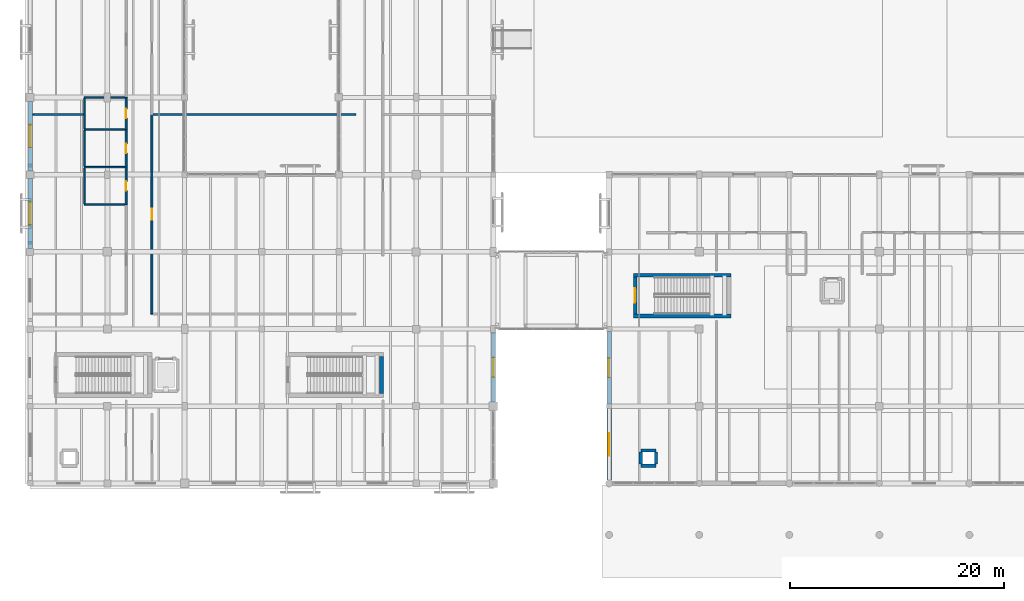
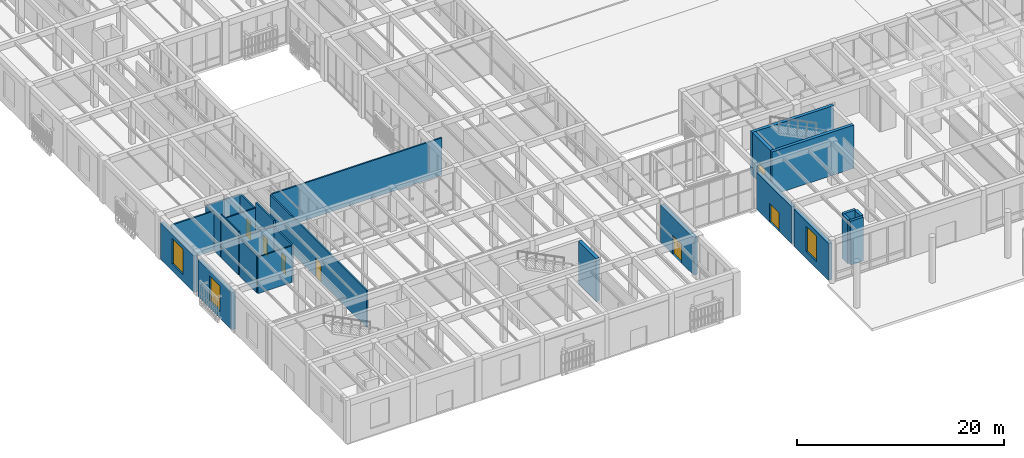
# One storey, part 121 of 169: 26 walls, 7 doors, 3 windows, 10 openings.
"""IFC4 building model written with IfcOpenShell, lengths in metres."""

from ifc_helpers import new_model, si_unit, direction, frame, frame_2d, origin, place, context, subcontext, project, spatial, rectangle, extrude, material, layer, layer_set, type_object, element, fill, save


model = new_model("IFC4")

# Units and contexts
model_context = context("Model", 3, precision=1e-05, world=origin(), true_north=direction((0.0, 1.0)))
body_context = subcontext(model_context, "Body", "Model", "MODEL_VIEW")
ifc_project = project(units=[si_unit("LENGTHUNIT", "METRE"), si_unit("AREAUNIT", "SQUARE_METRE"), si_unit("VOLUMEUNIT", "CUBIC_METRE"), si_unit("PLANEANGLEUNIT", "RADIAN"), si_unit("MASSUNIT", "GRAM", prefix="KILO")], contexts=[model_context])

# Site, building, storey
site_placement = place(None, origin())
site = spatial("IfcSite", under=ifc_project, at=site_placement, CompositionType="ELEMENT")
building_placement = place(site_placement, origin())
building = spatial("IfcBuilding", under=site, at=building_placement, Name="Mazaris Harbour Polytechnic", CompositionType="ELEMENT")
storey_placement = place(building_placement, origin())
storey = spatial("IfcBuildingStorey", under=building, at=storey_placement, Name="L00", CompositionType="ELEMENT", Elevation=0.0)

# Wall
ifc_material_1 = material(Name="Fireboard and Mineral Wool")
ifc_layer_1 = layer(ifc_material_1, 0.1650390625, Name="Fireboard and Mineral Wool")
ifc_layer_set_1 = layer_set([ifc_layer_1], Name="Fireboard and Mineral Wool")
wall_type_1 = type_object("IfcWallType", Name="Laboratory Rated Partition 165", PredefinedType="PARTITIONING", material=ifc_layer_set_1)
wall_1_placement = place(storey_placement, frame((0.25, 41.60009765625, 0.0), z_axis=(0.0, 0.0, 1.0), x_axis=(1.0, 0.0, 0.0)))
element("IfcWall", 1, at=wall_1_placement, inside=storey, type_object=wall_type_1, Name="V4 L00 Partition 292", PredefinedType="PARTITIONING", context=body_context, shape_type="SweptSolid", body=[
    extrude(rectangle(XDim=4.717529296875, YDim=0.1650390625, at=frame_2d((2.35888671875, 0.0))), origin(), (0.0, 0.0, 1.0), 4.64990234375),
])

# Wall, opening, door
wall_2_placement = place(storey_placement, frame((11.35009765625, 23.0, 0.0), z_axis=(0.0, 0.0, 1.0), x_axis=(0.0, 1.0, 0.0)))
wall_2 = element("IfcWall", 2, at=wall_2_placement, inside=storey, type_object=wall_type_1, Name="V4 L00 Partition 301", PredefinedType="PARTITIONING", context=body_context, shape_type="SweptSolid", body=[
    extrude(rectangle(XDim=18.60009765625, YDim=0.1650390625, at=frame_2d((9.300048828125, 0.0))), origin(), (0.0, 0.0, 1.0), 4.35009765625),
])
opening_1_placement = place(wall_2_placement, frame((8.77490234375, 0.0, 0.0)))
opening_1 = element("IfcOpeningElement", 3, at=opening_1_placement, cuts=wall_2, Name="Opening ID-02L", PredefinedType="OPENING", context=body_context, shape_type="SweptSolid", body=[
    extrude(rectangle(XDim=1.050048828125, YDim=2.199951171875, at=frame_2d((0.52490234375, 1.10009765625))), frame((0.0, 0.092529296875, 0.0), z_axis=(0.0, -1.0, 0.0), x_axis=(1.0, 0.0, 0.0)), (0.0, 0.0, 1.0), 0.18505859375),
])
ifc_material_2 = material(Name="Solid Timber and Vision Panel", Category="wood")
door_type_1 = type_object("IfcDoorType", Name="Laboratory Fire Door LH 1050x2200", OperationType="SINGLE_SWING_LEFT", PredefinedType="DOOR", material=ifc_material_2)
door_1_placement = place(opening_1_placement, origin())
door_1 = element("IfcDoor", 4, at=door_1_placement, inside=storey, type_object=door_type_1, Name="ID-0139", OperationType="SINGLE_SWING_LEFT", OverallHeight=2.199951171875, OverallWidth=1.050048828125, PredefinedType="DOOR", context=body_context, shape_type="SweptSolid", body=[
    extrude(rectangle(XDim=1.050048828125, YDim=2.199951171875, at=frame_2d((0.52490234375, 1.10009765625))), frame((0.0, 0.02490234375, 0.0), z_axis=(0.0, -1.0, 0.0), x_axis=(1.0, 0.0, 0.0)), (0.0, 0.0, 1.0), 0.050048828125),
])
fill(opening_1, door_1)

# Wall
wall_3_placement = place(storey_placement, frame((11.469970703125, 41.60009765625, 0.0), z_axis=(0.0, 0.0, 1.0), x_axis=(1.0, 0.0, 0.0)))
element("IfcWall", 5, at=wall_3_placement, inside=storey, type_object=wall_type_1, Name="V4 L00 Partition 303", PredefinedType="PARTITIONING", context=body_context, shape_type="SweptSolid", body=[
    extrude(rectangle(XDim=18.909912109375, YDim=0.1650390625, at=frame_2d((9.455078125, 0.0))), origin(), (0.0, 0.0, 1.0), 4.39990234375),
])

# Wall, opening, door
ifc_material_3 = material(Name="Moisture-Resistant Blockwork", Category="masonry")
ifc_layer_2 = layer(ifc_material_3, 0.175048828125, Name="Moisture-Resistant Blockwork")
ifc_layer_set_2 = layer_set([ifc_layer_2], Name="Moisture-Resistant Blockwork")
wall_type_2 = type_object("IfcWallType", Name="Laboratory Wet Service Wall 175", PredefinedType="PLUMBINGWALL", material=ifc_layer_set_2)
wall_4_placement = place(storey_placement, frame((8.949951171875, 33.199951171875, 0.0), z_axis=(0.0, 0.0, 1.0), x_axis=(0.0, 1.0, 0.0)))
wall_4 = element("IfcWall", 6, at=wall_4_placement, inside=storey, type_object=wall_type_2, Name="V4 L00 Partition 279", PredefinedType="PLUMBINGWALL", context=body_context, shape_type="SweptSolid", body=[
    extrude(rectangle(XDim=3.5, YDim=0.175048828125, at=frame_2d((1.75, 0.0))), origin(), (0.0, 0.0, 1.0), 4.35009765625),
])
opening_2_placement = place(wall_4_placement, frame((1.300048828125, 0.0, 0.0)))
opening_2 = element("IfcOpeningElement", 7, at=opening_2_placement, cuts=wall_4, Name="Opening ID-07R", PredefinedType="OPENING", context=body_context, shape_type="SweptSolid", body=[
    extrude(rectangle(XDim=0.89990234375, YDim=2.10009765625, at=frame_2d((0.449951171875, 1.050048828125))), frame((0.0, 0.097412109375, 0.0), z_axis=(0.0, -1.0, 0.0), x_axis=(1.0, 0.0, 0.0)), (0.0, 0.0, 1.0), 0.195068359375),
])
ifc_material_4 = material(Name="Moisture-Resistant Laminate Timber", Category="wood")
door_type_2 = type_object("IfcDoorType", Name="Sanitary Room Door RH 900x2100", OperationType="SINGLE_SWING_RIGHT", PredefinedType="DOOR", material=ifc_material_4)
door_2_placement = place(opening_2_placement, origin())
door_2 = element("IfcDoor", 8, at=door_2_placement, inside=storey, type_object=door_type_2, Name="ID-0129", OperationType="SINGLE_SWING_RIGHT", OverallHeight=2.10009765625, OverallWidth=0.89990234375, PredefinedType="DOOR", context=body_context, shape_type="SweptSolid", body=[
    extrude(rectangle(XDim=0.89990234375, YDim=2.10009765625, at=frame_2d((0.449951171875, 1.050048828125))), frame((0.0, 0.02490234375, 0.0), z_axis=(0.0, -1.0, 0.0), x_axis=(1.0, 0.0, 0.0)), (0.0, 0.0, 1.0), 0.050048828125),
])
fill(opening_2, door_2)

wall_5_placement = place(storey_placement, frame((8.949951171875, 36.705078125, 0.0), z_axis=(0.0, 0.0, 1.0), x_axis=(0.0, 1.0, 0.0)))
wall_5 = element("IfcWall", 9, at=wall_5_placement, inside=storey, type_object=wall_type_2, Name="V4 L00 Partition 283", PredefinedType="PLUMBINGWALL", context=body_context, shape_type="SweptSolid", body=[
    extrude(rectangle(XDim=3.494873046875, YDim=0.175048828125, at=frame_2d((1.74755859375, 0.0))), origin(), (0.0, 0.0, 1.0), 5.10009765625),
])
opening_3_placement = place(wall_5_placement, frame((1.297607421875, 0.0, 0.0)))
opening_3 = element("IfcOpeningElement", 10, at=opening_3_placement, cuts=wall_5, Name="Opening ID-07R", PredefinedType="OPENING", context=body_context, shape_type="SweptSolid", body=[
    extrude(rectangle(XDim=0.89990234375, YDim=2.10009765625, at=frame_2d((0.449951171875, 1.050048828125))), frame((0.0, 0.097412109375, 0.0), z_axis=(0.0, -1.0, 0.0), x_axis=(1.0, 0.0, 0.0)), (0.0, 0.0, 1.0), 0.195068359375),
])
door_3_placement = place(opening_3_placement, origin())
door_3 = element("IfcDoor", 11, at=door_3_placement, inside=storey, type_object=door_type_2, Name="ID-0130", OperationType="SINGLE_SWING_RIGHT", OverallHeight=2.10009765625, OverallWidth=0.89990234375, PredefinedType="DOOR", context=body_context, shape_type="SweptSolid", body=[
    extrude(rectangle(XDim=0.89990234375, YDim=2.10009765625, at=frame_2d((0.449951171875, 1.050048828125))), frame((0.0, 0.02490234375, 0.0), z_axis=(0.0, -1.0, 0.0), x_axis=(1.0, 0.0, 0.0)), (0.0, 0.0, 1.0), 0.050048828125),
])
fill(opening_3, door_3)

wall_6_placement = place(storey_placement, frame((8.949951171875, 40.205078125, 0.0), z_axis=(0.0, 0.0, 1.0), x_axis=(0.0, 1.0, 0.0)))
wall_6 = element("IfcWall", 12, at=wall_6_placement, inside=storey, type_object=wall_type_2, Name="V4 L00 Partition 286", PredefinedType="PLUMBINGWALL", context=body_context, shape_type="SweptSolid", body=[
    extrude(rectangle(XDim=2.994873046875, YDim=0.175048828125, at=frame_2d((1.49755859375, 0.0))), origin(), (0.0, 0.0, 1.0), 4.300048828125),
])
opening_4_placement = place(wall_6_placement, frame((1.03759765625, 0.0, 0.0)))
opening_4 = element("IfcOpeningElement", 13, at=opening_4_placement, cuts=wall_6, Name="Opening ID-07L", PredefinedType="OPENING", context=body_context, shape_type="SweptSolid", body=[
    extrude(rectangle(XDim=0.919921875, YDim=2.10009765625, at=frame_2d((0.4599609375, 1.050048828125))), frame((0.0, 0.097412109375, 0.0), z_axis=(0.0, -1.0, 0.0), x_axis=(1.0, 0.0, 0.0)), (0.0, 0.0, 1.0), 0.195068359375),
])
ifc_material_5 = material(Name="Moisture-Resistant Laminate Timber", Category="wood")
door_type_3 = type_object("IfcDoorType", Name="Accessible Toilet Door LH 920x2100", OperationType="SINGLE_SWING_LEFT", PredefinedType="DOOR", material=ifc_material_5)
door_4_placement = place(opening_4_placement, origin())
door_4 = element("IfcDoor", 14, at=door_4_placement, inside=storey, type_object=door_type_3, Name="ID-0131", OperationType="SINGLE_SWING_LEFT", OverallHeight=2.10009765625, OverallWidth=0.919921875, PredefinedType="DOOR", context=body_context, shape_type="SweptSolid", body=[
    extrude(rectangle(XDim=0.919921875, YDim=2.10009765625, at=frame_2d((0.4599609375, 1.050048828125))), frame((0.0, 0.02490234375, 0.0), z_axis=(0.0, -1.0, 0.0), x_axis=(1.0, 0.0, 0.0)), (0.0, 0.0, 1.0), 0.050048828125),
])
fill(opening_4, door_4)

# Wall, opening, window
ifc_material_6 = material(Name="Algerian Buff Limestone and Concrete C35/45", Category="masonry")
ifc_layer_3 = layer(ifc_material_6, 0.409912109375, Name="Algerian Buff Limestone and Concrete C35/45")
ifc_layer_set_3 = layer_set([ifc_layer_3], Name="Algerian Buff Limestone and Concrete C35/45")
wall_type_3 = type_object("IfcWallType", Name="Limestone Rusticated Base Wall 410", PredefinedType="STANDARD", material=ifc_layer_set_3)
wall_7_placement = place(storey_placement, frame((54.0, 7.51708984375, 0.0), z_axis=(0.0, 0.0, 1.0), x_axis=(0.0, 1.0, 0.0)))
wall_7 = element("IfcWall", 15, at=wall_7_placement, inside=storey, type_object=wall_type_3, Name="V3 L00 Exterior Wall 102", PredefinedType="STANDARD", context=body_context, shape_type="SweptSolid", body=[
    extrude(rectangle(XDim=6.666015625, YDim=0.409912109375, at=frame_2d((3.3330078125, 0.0))), origin(), (0.0, 0.0, 1.0), 4.35009765625),
])
opening_5_placement = place(wall_7_placement, frame((2.282958984375, 0.0, 0.800048828125)))
opening_5 = element("IfcOpeningElement", 16, at=opening_5_placement, cuts=wall_7, Name="Opening WN-05", PredefinedType="OPENING", context=body_context, shape_type="SweptSolid", body=[
    extrude(rectangle(XDim=2.10009765625, YDim=3.0, at=frame_2d((1.050048828125, 1.5))), frame((0.0, 0.21484375, 0.0), z_axis=(0.0, -1.0, 0.0), x_axis=(1.0, 0.0, 0.0)), (0.0, 0.0, 1.0), 0.429931640625),
])
ifc_material_7 = material(Name="Thermally Broken Bronze Aluminium and Low-E Glass", Category="aluminium")
window_type = type_object("IfcWindowType", Name="Podium Arch-Head Window 2100x3000", PartitioningType="DOUBLE_PANEL_VERTICAL", PredefinedType="WINDOW", material=ifc_material_7)
window_1_placement = place(opening_5_placement, origin())
window_1 = element("IfcWindow", 17, at=window_1_placement, inside=storey, type_object=window_type, Name="WN-0111", OverallHeight=3.0, OverallWidth=2.10009765625, PartitioningType="DOUBLE_PANEL_VERTICAL", PredefinedType="WINDOW", context=body_context, shape_type="SweptSolid", body=[
    extrude(rectangle(XDim=2.10009765625, YDim=3.0, at=frame_2d((1.050048828125, 1.5))), frame((0.0, 0.030029296875, 0.0), z_axis=(0.0, -1.0, 0.0), x_axis=(1.0, 0.0, 0.0)), (0.0, 0.0, 1.0), 0.06005859375),
])
fill(opening_5, window_1)

# Wall, opening, door
wall_8_placement = place(storey_placement, frame((54.0, 14.616943359375, 0.0), z_axis=(0.0, 0.0, 1.0), x_axis=(0.0, 1.0, 0.0)))
wall_8 = element("IfcWall", 18, at=wall_8_placement, inside=storey, type_object=wall_type_3, Name="V3 L00 Exterior Wall 103", PredefinedType="STANDARD", context=body_context, shape_type="SweptSolid", body=[
    extrude(rectangle(XDim=6.740966796875, YDim=0.409912109375, at=frame_2d((3.37060546875, 0.0))), origin(), (0.0, 0.0, 1.0), 4.35009765625),
])
opening_6_placement = place(wall_8_placement, frame((2.470458984375, 0.0, 0.0)))
opening_6 = element("IfcOpeningElement", 19, at=opening_6_placement, cuts=wall_8, Name="Opening ED-03", PredefinedType="OPENING", context=body_context, shape_type="SweptSolid", body=[
    extrude(rectangle(XDim=1.800048828125, YDim=2.199951171875, at=frame_2d((0.89990234375, 1.10009765625))), frame((0.0, 0.21484375, 0.0), z_axis=(0.0, -1.0, 0.0), x_axis=(1.0, 0.0, 0.0)), (0.0, 0.0, 1.0), 0.429931640625),
])
ifc_material_8 = material(Name="Anodised Bronze Steel and Laminated Safety Glass", Category="steel")
door_type_4 = type_object("IfcDoorType", Name="Perimeter Final Exit Door 1800x2200", OperationType="DOUBLE_DOOR_SINGLE_SWING", PredefinedType="DOOR", material=ifc_material_8)
door_5_placement = place(opening_6_placement, origin())
door_5 = element("IfcDoor", 20, at=door_5_placement, inside=storey, type_object=door_type_4, Name="EXD-018", OperationType="DOUBLE_DOOR_SINGLE_SWING", OverallHeight=2.199951171875, OverallWidth=1.800048828125, PredefinedType="DOOR", context=body_context, shape_type="SweptSolid", body=[
    extrude(rectangle(XDim=1.800048828125, YDim=2.199951171875, at=frame_2d((0.89990234375, 1.10009765625))), frame((0.0, 0.02490234375, 0.0), z_axis=(0.0, -1.0, 0.0), x_axis=(1.0, 0.0, 0.0)), (0.0, 0.0, 1.0), 0.050048828125),
])
fill(opening_6, door_5)

# Wall, opening, window
wall_9_placement = place(storey_placement, frame((0.0, 29.116943359375, 0.0), z_axis=(0.0, 0.0, 1.0), x_axis=(0.0, 1.0, 0.0)))
wall_9 = element("IfcWall", 21, at=wall_9_placement, inside=storey, type_object=wall_type_3, Name="V4 L00 Exterior Wall 143", PredefinedType="STANDARD", context=body_context, shape_type="SweptSolid", body=[
    extrude(rectangle(XDim=6.541015625, YDim=0.409912109375, at=frame_2d((3.2705078125, 0.0))), origin(), (0.0, 0.0, 1.0), 4.35009765625),
])
opening_7_placement = place(wall_9_placement, frame((2.220458984375, 0.0, 0.800048828125)))
opening_7 = element("IfcOpeningElement", 22, at=opening_7_placement, cuts=wall_9, Name="Opening WN-05", PredefinedType="OPENING", context=body_context, shape_type="SweptSolid", body=[
    extrude(rectangle(XDim=2.10009765625, YDim=3.0, at=frame_2d((1.050048828125, 1.5))), frame((0.0, 0.21484375, 0.0), z_axis=(0.0, -1.0, 0.0), x_axis=(1.0, 0.0, 0.0)), (0.0, 0.0, 1.0), 0.429931640625),
])
window_2_placement = place(opening_7_placement, origin())
window_2 = element("IfcWindow", 23, at=window_2_placement, inside=storey, type_object=window_type, Name="WN-0148", OverallHeight=3.0, OverallWidth=2.10009765625, PartitioningType="DOUBLE_PANEL_VERTICAL", PredefinedType="WINDOW", context=body_context, shape_type="SweptSolid", body=[
    extrude(rectangle(XDim=2.10009765625, YDim=3.0, at=frame_2d((1.050048828125, 1.5))), frame((0.0, 0.030029296875, 0.0), z_axis=(0.0, -1.0, 0.0), x_axis=(1.0, 0.0, 0.0)), (0.0, 0.0, 1.0), 0.06005859375),
])
fill(opening_7, window_2)

wall_10_placement = place(storey_placement, frame((0.0, 36.342041015625, 0.0), z_axis=(0.0, 0.0, 1.0), x_axis=(0.0, 1.0, 0.0)))
wall_10 = element("IfcWall", 24, at=wall_10_placement, inside=storey, type_object=wall_type_3, Name="V4 L00 Exterior Wall 144", PredefinedType="STANDARD", context=body_context, shape_type="SweptSolid", body=[
    extrude(rectangle(XDim=6.490966796875, YDim=0.409912109375, at=frame_2d((3.24560546875, 0.0))), origin(), (0.0, 0.0, 1.0), 4.300048828125),
])
opening_8_placement = place(wall_10_placement, frame((2.195556640625, 0.0, 0.800048828125)))
opening_8 = element("IfcOpeningElement", 25, at=opening_8_placement, cuts=wall_10, Name="Opening WN-05", PredefinedType="OPENING", context=body_context, shape_type="SweptSolid", body=[
    extrude(rectangle(XDim=2.10009765625, YDim=3.0, at=frame_2d((1.050048828125, 1.5))), frame((0.0, 0.21484375, 0.0), z_axis=(0.0, -1.0, 0.0), x_axis=(1.0, 0.0, 0.0)), (0.0, 0.0, 1.0), 0.429931640625),
])
window_3_placement = place(opening_8_placement, origin())
window_3 = element("IfcWindow", 26, at=window_3_placement, inside=storey, type_object=window_type, Name="WN-0149", OverallHeight=3.0, OverallWidth=2.10009765625, PartitioningType="DOUBLE_PANEL_VERTICAL", PredefinedType="WINDOW", context=body_context, shape_type="SweptSolid", body=[
    extrude(rectangle(XDim=2.10009765625, YDim=3.0, at=frame_2d((1.050048828125, 1.5))), frame((0.0, 0.030029296875, 0.0), z_axis=(0.0, -1.0, 0.0), x_axis=(1.0, 0.0, 0.0)), (0.0, 0.0, 1.0), 0.06005859375),
])
fill(opening_8, window_3)

# Wall, opening, door
wall_11_placement = place(storey_placement, frame((43.199951171875, 21.258056640625, 0.0), z_axis=(0.0, 0.0, 1.0), x_axis=(0.0, -1.0, 0.0)))
wall_11 = element("IfcWall", 27, at=wall_11_placement, inside=storey, type_object=wall_type_3, Name="V4 L00 Exterior Wall 152", PredefinedType="STANDARD", context=body_context, shape_type="SweptSolid", body=[
    extrude(rectangle(XDim=6.466064453125, YDim=0.409912109375, at=frame_2d((3.23291015625, 0.0))), origin(), (0.0, 0.0, 1.0), 4.39990234375),
])
opening_9_placement = place(wall_11_placement, frame((2.3330078125, 0.0, 0.0)))
opening_9 = element("IfcOpeningElement", 28, at=opening_9_placement, cuts=wall_11, Name="Opening ED-03", PredefinedType="OPENING", context=body_context, shape_type="SweptSolid", body=[
    extrude(rectangle(XDim=1.800048828125, YDim=2.199951171875, at=frame_2d((0.89990234375, 1.10009765625))), frame((0.0, 0.21484375, 0.0), z_axis=(0.0, -1.0, 0.0), x_axis=(1.0, 0.0, 0.0)), (0.0, 0.0, 1.0), 0.429931640625),
])
door_6_placement = place(opening_9_placement, origin())
door_6 = element("IfcDoor", 29, at=door_6_placement, inside=storey, type_object=door_type_4, Name="EXD-027", OperationType="DOUBLE_DOOR_SINGLE_SWING", OverallHeight=2.199951171875, OverallWidth=1.800048828125, PredefinedType="DOOR", context=body_context, shape_type="SweptSolid", body=[
    extrude(rectangle(XDim=1.800048828125, YDim=2.199951171875, at=frame_2d((0.89990234375, 1.10009765625))), frame((0.0, 0.02490234375, 0.0), z_axis=(0.0, -1.0, 0.0), x_axis=(1.0, 0.0, 0.0)), (0.0, 0.0, 1.0), 0.050048828125),
])
fill(opening_9, door_6)

# Walls
ifc_material_9 = material(Name="Concrete C40/50", Category="concrete")
ifc_layer_4 = layer(ifc_material_9, 0.35009765625, Name="Concrete C40/50")
ifc_layer_set_4 = layer_set([ifc_layer_4], Name="Concrete C40/50")
wall_type_4 = type_object("IfcWallType", Name="RC Core Shear Wall 350", PredefinedType="SHEAR", material=ifc_layer_set_4)
for number, where, z_axis, x_axis, name in (
    (30, (56.25, 22.824951171875, 0.0), (0.0, 0.0, 1.0), (1.0, 0.0, 0.0), "Core ST05 L00 Shear Wall S"),
    (31, (65.35009765625, 26.625, 0.0), (0.0, 0.0, 1.0), (-1.0, 0.0, 0.0), "Core ST05 L00 Shear Wall N"),
):
    element("IfcWall", number, at=place(storey_placement, frame(where, z_axis=z_axis, x_axis=x_axis)), inside=storey, type_object=wall_type_4, Name=name, PredefinedType="SHEAR", context=body_context, shape_type="SweptSolid", body=[
        extrude(rectangle(XDim=9.10009765625, YDim=0.35009765625, at=frame_2d((4.550048828125, 0.0))), origin(), (0.0, 0.0, 1.0), 5.10009765625),
    ])

# Wall, opening, door
wall_12_placement = place(storey_placement, frame((56.425048828125, 26.449951171875, 0.0), z_axis=(0.0, 0.0, 1.0), x_axis=(0.0, -1.0, 0.0)))
wall_12 = element("IfcWall", 32, at=wall_12_placement, inside=storey, type_object=wall_type_4, Name="Core ST05 L00 Entrance Shear Wall", PredefinedType="SHEAR", context=body_context, shape_type="SweptSolid", body=[
    extrude(rectangle(XDim=3.449951171875, YDim=0.35009765625, at=frame_2d((1.72509765625, 0.0))), origin(), (0.0, 0.0, 1.0), 5.10009765625),
])
opening_10_placement = place(wall_12_placement, frame((1.034912109375, 0.0, 0.0)))
opening_10 = element("IfcOpeningElement", 33, at=opening_10_placement, cuts=wall_12, Name="Opening SD-01", PredefinedType="OPENING", context=body_context, shape_type="SweptSolid", body=[
    extrude(rectangle(XDim=1.3798828125, YDim=2.199951171875, at=frame_2d((0.68994140625, 1.10009765625))), frame((0.0, 0.18505859375, 0.0), z_axis=(0.0, -1.0, 0.0), x_axis=(1.0, 0.0, 0.0)), (0.0, 0.0, 1.0), 0.3701171875),
])
ifc_material_10 = material(Name="Glulam Timber and Fire Glass", Category="wood")
door_type_5 = type_object("IfcDoorType", Name="Protected Stair Lobby Fire Door 1380x2200", OperationType="DOUBLE_DOOR_SINGLE_SWING", PredefinedType="DOOR", material=ifc_material_10)
door_7_placement = place(opening_10_placement, origin())
door_7 = element("IfcDoor", 34, at=door_7_placement, inside=storey, type_object=door_type_5, Name="SD-020", OperationType="DOUBLE_DOOR_SINGLE_SWING", OverallHeight=2.199951171875, OverallWidth=1.3798828125, PredefinedType="DOOR", context=body_context, shape_type="SweptSolid", body=[
    extrude(rectangle(XDim=1.3798828125, YDim=2.199951171875, at=frame_2d((0.68994140625, 1.10009765625))), frame((0.0, 0.02490234375, 0.0), z_axis=(0.0, -1.0, 0.0), x_axis=(1.0, 0.0, 0.0)), (0.0, 0.0, 1.0), 0.050048828125),
])
fill(opening_10, door_7)

# Walls
ifc_material_11 = material(Name="Concrete C40/50", Category="concrete")
ifc_layer_5 = layer(ifc_material_11, 0.375, Name="Concrete C40/50")
ifc_layer_set_5 = layer_set([ifc_layer_5], Name="Concrete C40/50")
wall_type_5 = type_object("IfcWallType", Name="RC Core Shear Wall 375", PredefinedType="SHEAR", material=ifc_layer_set_5)
wall_13_placement = place(storey_placement, frame((32.77490234375, 15.60009765625, 0.0), z_axis=(0.0, 0.0, 1.0), x_axis=(0.0, 1.0, 0.0)))
element("IfcWall", 35, at=wall_13_placement, inside=storey, type_object=wall_type_5, Name="Core ST08 L00 Shear Wall E", PredefinedType="SHEAR", context=body_context, shape_type="SweptSolid", body=[
    extrude(rectangle(XDim=3.449951171875, YDim=0.375, at=frame_2d((1.72509765625, 0.0))), origin(), (0.0, 0.0, 1.0), 5.10009765625),
])
ifc_material_12 = material(Name="Concrete C40/50", Category="concrete")
ifc_layer_6 = layer(ifc_material_12, 0.300048828125, Name="Concrete C40/50")
ifc_layer_set_6 = layer_set([ifc_layer_6], Name="Concrete C40/50")
wall_type_6 = type_object("IfcWallType", Name="RC Lift Shaft Wall 300", PredefinedType="SHEAR", material=ifc_layer_set_6)
wall_14_placement = place(storey_placement, frame((56.949951171875, 8.85009765625, 0.0), z_axis=(0.0, 0.0, 1.0), x_axis=(1.0, 0.0, 0.0)))
element("IfcWall", 36, at=wall_14_placement, inside=storey, type_object=wall_type_6, Name="V3 L00 Riser Enclosure Wall 1-1", PredefinedType="SHEAR", context=body_context, shape_type="SweptSolid", body=[
    extrude(rectangle(XDim=1.420166015625, YDim=0.300048828125, at=frame_2d((0.7099609375, 0.0))), origin(), (0.0, 0.0, 1.0), 5.159912109375),
])
wall_15_placement = place(storey_placement, frame((58.3701171875, 9.010009765625, 0.0), z_axis=(0.0, 0.0, 1.0), x_axis=(0.0, 1.0, 0.0)))
element("IfcWall", 37, at=wall_15_placement, inside=storey, type_object=wall_type_6, Name="V3 L00 Riser Enclosure Wall 1-2", PredefinedType="SHEAR", context=body_context, shape_type="SweptSolid", body=[
    extrude(rectangle(XDim=1.10009765625, YDim=0.300048828125, at=frame_2d((0.550048828125, 0.0))), origin(), (0.0, 0.0, 1.0), 5.159912109375),
])
wall_16_placement = place(storey_placement, frame((58.3701171875, 10.27001953125, 0.0), z_axis=(0.0, 0.0, 1.0), x_axis=(-1.0, 0.0, 0.0)))
element("IfcWall", 38, at=wall_16_placement, inside=storey, type_object=wall_type_6, Name="V3 L00 Riser Enclosure Wall 1-3", PredefinedType="SHEAR", context=body_context, shape_type="SweptSolid", body=[
    extrude(rectangle(XDim=1.420166015625, YDim=0.300048828125, at=frame_2d((0.7099609375, 0.0))), origin(), (0.0, 0.0, 1.0), 5.159912109375),
])
wall_17_placement = place(storey_placement, frame((56.949951171875, 10.110107421875, 0.0), z_axis=(0.0, 0.0, 1.0), x_axis=(0.0, -1.0, 0.0)))
element("IfcWall", 39, at=wall_17_placement, inside=storey, type_object=wall_type_6, Name="V3 L00 Riser Enclosure Wall 1-4", PredefinedType="SHEAR", context=body_context, shape_type="SweptSolid", body=[
    extrude(rectangle(XDim=1.10009765625, YDim=0.300048828125, at=frame_2d((0.550048828125, 0.0))), origin(), (0.0, 0.0, 1.0), 5.159912109375),
])
ifc_material_13 = material(Name="Moisture-Resistant Gypsum and Steel Stud", Category="steel")
ifc_layer_7 = layer(ifc_material_13, 0.14501953125, Name="Moisture-Resistant Gypsum and Steel Stud")
ifc_layer_set_7 = layer_set([ifc_layer_7], Name="Moisture-Resistant Gypsum and Steel Stud")
wall_type_7 = type_object("IfcWallType", Name="Sanitary Plumbing Wall 145", PredefinedType="PLUMBINGWALL", material=ifc_layer_set_7)
wall_18_placement = place(storey_placement, frame((5.050048828125, 33.199951171875, 0.0), z_axis=(0.0, 0.0, 1.0), x_axis=(1.0, 0.0, 0.0)))
element("IfcWall", 40, at=wall_18_placement, inside=storey, type_object=wall_type_7, Name="V4 L00 Partition 280", PredefinedType="PLUMBINGWALL", context=body_context, shape_type="SweptSolid", body=[
    extrude(rectangle(XDim=3.780029296875, YDim=0.14501953125, at=frame_2d((1.89013671875, 0.0))), origin(), (0.0, 0.0, 1.0), 4.300048828125),
])
wall_19_placement = place(storey_placement, frame((5.050048828125, 36.699951171875, 0.0), z_axis=(0.0, 0.0, 1.0), x_axis=(1.0, 0.0, 0.0)))
element("IfcWall", 41, at=wall_19_placement, inside=storey, type_object=wall_type_7, Name="V4 L00 Partition 281", PredefinedType="PLUMBINGWALL", context=body_context, shape_type="SweptSolid", body=[
    extrude(rectangle(XDim=3.780029296875, YDim=0.14501953125, at=frame_2d((1.89013671875, 0.0))), origin(), (0.0, 0.0, 1.0), 4.5),
])
wall_20_placement = place(storey_placement, frame((5.050048828125, 33.282470703125, 0.0), z_axis=(0.0, 0.0, 1.0), x_axis=(0.0, 1.0, 0.0)))
element("IfcWall", 42, at=wall_20_placement, inside=storey, type_object=wall_type_7, Name="V4 L00 Partition 282", PredefinedType="PLUMBINGWALL", context=body_context, shape_type="SweptSolid", body=[
    extrude(rectangle(XDim=3.3349609375, YDim=0.14501953125, at=frame_2d((1.66748046875, 0.0))), origin(), (0.0, 0.0, 1.0), 4.39990234375),
])
wall_21_placement = place(storey_placement, frame((5.050048828125, 40.199951171875, 0.0), z_axis=(0.0, 0.0, 1.0), x_axis=(1.0, 0.0, 0.0)))
element("IfcWall", 43, at=wall_21_placement, inside=storey, type_object=wall_type_7, Name="V4 L00 Partition 284", PredefinedType="PLUMBINGWALL", context=body_context, shape_type="SweptSolid", body=[
    extrude(rectangle(XDim=3.780029296875, YDim=0.14501953125, at=frame_2d((1.89013671875, 0.0))), origin(), (0.0, 0.0, 1.0), 4.5),
])
wall_22_placement = place(storey_placement, frame((5.050048828125, 36.782470703125, 0.0), z_axis=(0.0, 0.0, 1.0), x_axis=(0.0, 1.0, 0.0)))
element("IfcWall", 44, at=wall_22_placement, inside=storey, type_object=wall_type_7, Name="V4 L00 Partition 285", PredefinedType="PLUMBINGWALL", context=body_context, shape_type="SweptSolid", body=[
    extrude(rectangle(XDim=3.3349609375, YDim=0.14501953125, at=frame_2d((1.66748046875, 0.0))), origin(), (0.0, 0.0, 1.0), 5.10009765625),
])
wall_23_placement = place(storey_placement, frame((5.050048828125, 43.199951171875, 0.0), z_axis=(0.0, 0.0, 1.0), x_axis=(1.0, 0.0, 0.0)))
element("IfcWall", 45, at=wall_23_placement, inside=storey, type_object=wall_type_7, Name="V4 L00 Partition 287", PredefinedType="PLUMBINGWALL", context=body_context, shape_type="SweptSolid", body=[
    extrude(rectangle(XDim=3.780029296875, YDim=0.14501953125, at=frame_2d((1.89013671875, 0.0))), origin(), (0.0, 0.0, 1.0), 4.300048828125),
])
wall_24_placement = place(storey_placement, frame((5.050048828125, 40.282470703125, 0.0), z_axis=(0.0, 0.0, 1.0), x_axis=(0.0, 1.0, 0.0)))
element("IfcWall", 46, at=wall_24_placement, inside=storey, type_object=wall_type_7, Name="V4 L00 Partition 288", PredefinedType="PLUMBINGWALL", context=body_context, shape_type="SweptSolid", body=[
    extrude(rectangle(XDim=2.8349609375, YDim=0.14501953125, at=frame_2d((1.41748046875, 0.0))), origin(), (0.0, 0.0, 1.0), 4.35009765625),
])

save(model, "model.ifc")
